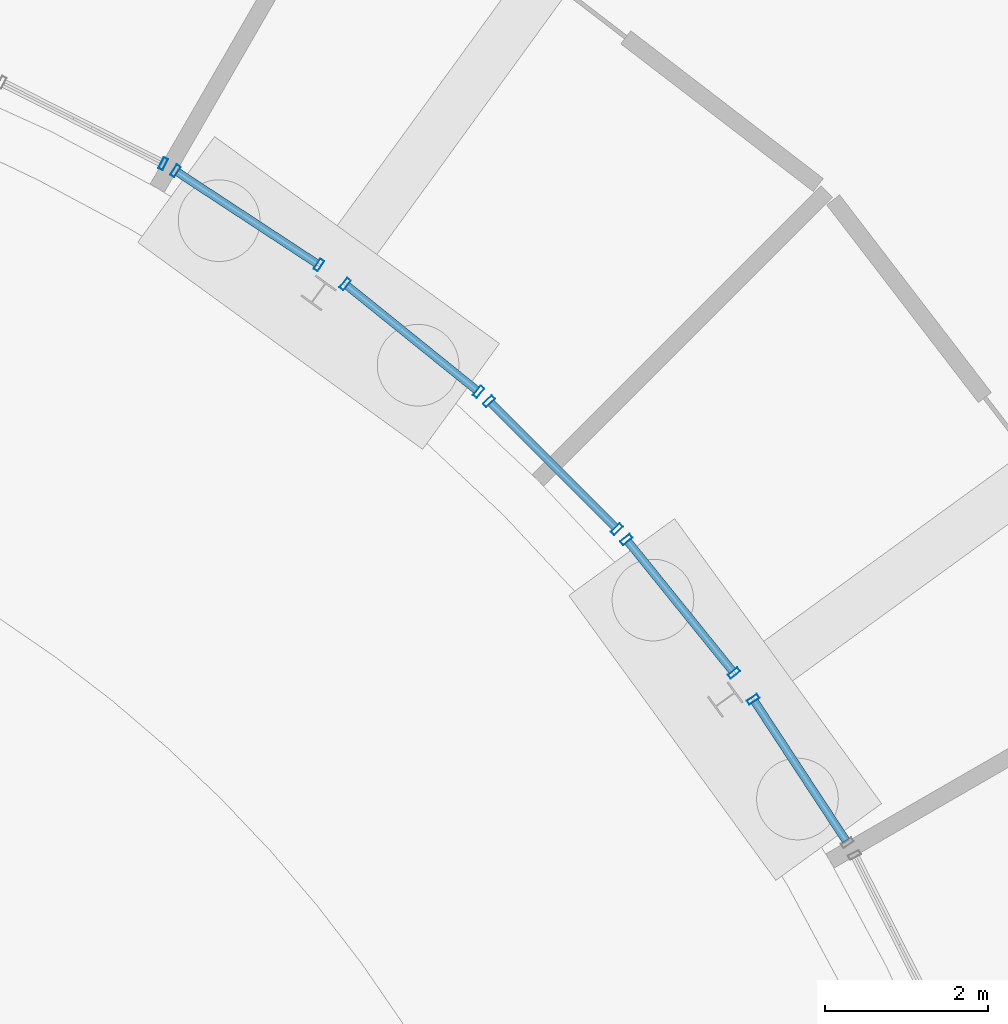
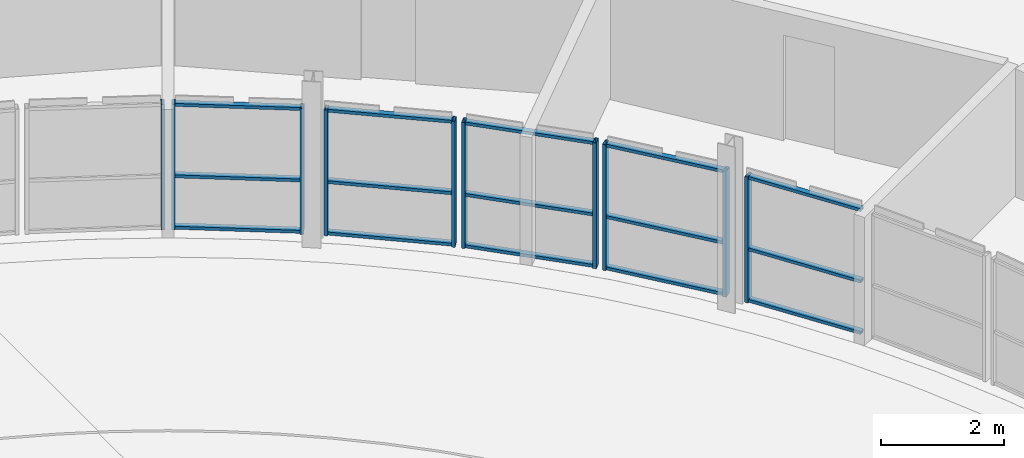
# One storey, part 63 of 130: 25 members, 6 elements without a shape of their own.
"""IFC4 building model written with IfcOpenShell, lengths in metres."""

from ifc_helpers import new_model, si_unit, direction, frame, origin, origin_2d, place, context, subcontext, project, spatial, hollow_rectangle, extrude, material, material_profile, profile_set, type_object, element, aggregate, save


model = new_model("IFC4")

# Units and contexts
model_context = context("Model", 3, precision=1e-05, world=origin(), true_north=direction((0.0, 1.0)))
body_context = subcontext(model_context, "Body", "Model", "MODEL_VIEW")
ifc_project = project(units=[si_unit("LENGTHUNIT", "METRE"), si_unit("AREAUNIT", "SQUARE_METRE"), si_unit("VOLUMEUNIT", "CUBIC_METRE"), si_unit("PLANEANGLEUNIT", "RADIAN"), si_unit("MASSUNIT", "GRAM", prefix="KILO")], contexts=[model_context])

# Site, building, storey
site_placement = place(None, origin())
site = spatial("IfcSite", under=ifc_project, at=site_placement, CompositionType="ELEMENT")
building_placement = place(site_placement, origin())
building = spatial("IfcBuilding", under=site, at=building_placement, Name="Parallax Yard Mobility Hub", CompositionType="ELEMENT")
storey_placement = place(building_placement, origin())
storey = spatial("IfcBuildingStorey", under=building, at=storey_placement, Name="L00", CompositionType="ELEMENT", Elevation=0.0)

# Curtain wall, member
ifc_material_1 = material(Name="Aluminium and glass curtain wall", Category="aluminium")
curtain_wall_type = type_object("IfcCurtainWallType", Name="Curtain wall, aluminium stick system", PredefinedType="NOTDEFINED", material=ifc_material_1)
curtain_wall_1_placement = place(storey_placement, origin())
curtain_wall_1 = element("IfcCurtainWall", 1, at=curtain_wall_1_placement, inside=storey, type_object=curtain_wall_type, Name="Curtain wall CW28 level L00 bay 19.2", PredefinedType="NOTDEFINED")
ifc_material_2 = material(Name="Aluminium 6063-T6 anodised", Category="aluminium")
ifc_material_profile_1 = material_profile(ifc_material_2, hollow_rectangle(XDim=0.14990234375, YDim=0.06005859375, WallThickness=0.00390625, at=origin_2d()), Name="RHS 60x150x4")
ifc_profile_set_1 = profile_set([ifc_material_profile_1], Name="Aluminium 6063-T6 anodised")
member_type_1 = type_object("IfcMemberType", Name="Curtain wall mullion RHS 60x150x4", PredefinedType="MULLION", material=ifc_profile_set_1)
member_1_placement = place(storey_placement, frame((183.822509765625, 109.784912109375, 0.0), z_axis=(0.0, 0.0, 1.0), x_axis=(0.449585897223, 0.893237102352, 0.0)))
member_1 = element("IfcMember", 2, at=member_1_placement, type_object=member_type_1, Name="CW28 mullion 2", PredefinedType="MULLION", context=body_context, shape_type="SweptSolid", body=[
    extrude(hollow_rectangle(XDim=0.14990234375, YDim=0.06005859375, WallThickness=0.00390625, at=origin_2d()), origin(), (0.0, 0.0, 1.0), 2.5),
])
aggregate(curtain_wall_1, [member_1])

# Curtain wall, members
curtain_wall_2_placement = place(storey_placement, origin())
curtain_wall_2 = element("IfcCurtainWall", 3, at=curtain_wall_2_placement, inside=storey, type_object=curtain_wall_type, Name="Curtain wall CW29 level L00 bay 19.3", PredefinedType="NOTDEFINED")
member_2_placement = place(storey_placement, frame((183.973388671875, 109.69775390625, 0.0), z_axis=(0.0, 0.0, 1.0), x_axis=(0.548746431387, 0.835988848035, 0.0)))
member_2 = element("IfcMember", 4, at=member_2_placement, type_object=member_type_1, Name="CW29 mullion 1", PredefinedType="MULLION", context=body_context, shape_type="SweptSolid", body=[
    extrude(hollow_rectangle(XDim=0.14990234375, YDim=0.06005859375, WallThickness=0.00390625, at=origin_2d()), origin(), (0.0, 0.0, 1.0), 2.5),
])
member_3_placement = place(storey_placement, frame((185.72900390625, 108.54541015625, 0.0), z_axis=(0.0, 0.0, 1.0), x_axis=(0.548746431387, 0.835988848035, 0.0)))
member_3 = element("IfcMember", 5, at=member_3_placement, type_object=member_type_1, Name="CW29 mullion 2", PredefinedType="MULLION", context=body_context, shape_type="SweptSolid", body=[
    extrude(hollow_rectangle(XDim=0.14990234375, YDim=0.06005859375, WallThickness=0.00390625, at=origin_2d()), origin(), (0.0, 0.0, 1.0), 2.5),
])

curtain_wall_3_placement = place(storey_placement, origin())
curtain_wall_3 = element("IfcCurtainWall", 6, at=curtain_wall_3_placement, inside=storey, type_object=curtain_wall_type, Name="Curtain wall CW30 level L00 bay 20.1", PredefinedType="NOTDEFINED")
member_4_placement = place(storey_placement, frame((186.05078125, 108.310791015625, 0.0), z_axis=(0.0, 0.0, 1.0), x_axis=(0.628066501491, 0.778159668516, 0.0)))
member_4 = element("IfcMember", 7, at=member_4_placement, type_object=member_type_1, Name="CW30 mullion 1", PredefinedType="MULLION", context=body_context, shape_type="SweptSolid", body=[
    extrude(hollow_rectangle(XDim=0.14990234375, YDim=0.06005859375, WallThickness=0.00390625, at=origin_2d()), origin(), (0.0, 0.0, 1.0), 2.5),
])
member_5_placement = place(storey_placement, frame((187.684326171875, 106.992431640625, 0.0), z_axis=(0.0, 0.0, 1.0), x_axis=(0.628066501491, 0.778159668516, 0.0)))
member_5 = element("IfcMember", 8, at=member_5_placement, type_object=member_type_1, Name="CW30 mullion 2", PredefinedType="MULLION", context=body_context, shape_type="SweptSolid", body=[
    extrude(hollow_rectangle(XDim=0.14990234375, YDim=0.06005859375, WallThickness=0.00390625, at=origin_2d()), origin(), (0.0, 0.0, 1.0), 2.5),
])

curtain_wall_4_placement = place(storey_placement, origin())
curtain_wall_4 = element("IfcCurtainWall", 9, at=curtain_wall_4_placement, inside=storey, type_object=curtain_wall_type, Name="Curtain wall CW31 level L00 bay 20.2", PredefinedType="NOTDEFINED")
member_6_placement = place(storey_placement, frame((187.81201171875, 106.877685546875, 0.0), z_axis=(0.0, 0.0, 1.0), x_axis=(0.707128764575, 0.707084797114, 0.0)))
member_6 = element("IfcMember", 10, at=member_6_placement, type_object=member_type_1, Name="CW31 mullion 1", PredefinedType="MULLION", context=body_context, shape_type="SweptSolid", body=[
    extrude(hollow_rectangle(XDim=0.14990234375, YDim=0.06005859375, WallThickness=0.00390625, at=origin_2d()), origin(), (0.0, 0.0, 1.0), 2.5),
])
member_7_placement = place(storey_placement, frame((189.377685546875, 105.311767578125, 0.0), z_axis=(0.0, 0.0, 1.0), x_axis=(0.707128764575, 0.707084797114, 0.0)))
member_7 = element("IfcMember", 11, at=member_7_placement, type_object=member_type_1, Name="CW31 mullion 2", PredefinedType="MULLION", context=body_context, shape_type="SweptSolid", body=[
    extrude(hollow_rectangle(XDim=0.14990234375, YDim=0.06005859375, WallThickness=0.00390625, at=origin_2d()), origin(), (0.0, 0.0, 1.0), 2.5),
])

curtain_wall_5_placement = place(storey_placement, origin())
curtain_wall_5 = element("IfcCurtainWall", 12, at=curtain_wall_5_placement, inside=storey, type_object=curtain_wall_type, Name="Curtain wall CW32 level L00 bay 20.3", PredefinedType="NOTDEFINED")
member_8_placement = place(storey_placement, frame((189.49267578125, 105.18408203125, 0.0), z_axis=(0.0, 0.0, 1.0), x_axis=(0.77818230241, 0.628038457593, 0.0)))
member_8 = element("IfcMember", 13, at=member_8_placement, type_object=member_type_1, Name="CW32 mullion 1", PredefinedType="MULLION", context=body_context, shape_type="SweptSolid", body=[
    extrude(hollow_rectangle(XDim=0.14990234375, YDim=0.06005859375, WallThickness=0.00390625, at=origin_2d()), origin(), (0.0, 0.0, 1.0), 2.5),
])
member_9_placement = place(storey_placement, frame((190.81103515625, 103.550537109375, 0.0), z_axis=(0.0, 0.0, 1.0), x_axis=(0.77818230241, 0.628038457593, 0.0)))
member_9 = element("IfcMember", 14, at=member_9_placement, type_object=member_type_1, Name="CW32 mullion 2", PredefinedType="MULLION", context=body_context, shape_type="SweptSolid", body=[
    extrude(hollow_rectangle(XDim=0.14990234375, YDim=0.06005859375, WallThickness=0.00390625, at=origin_2d()), origin(), (0.0, 0.0, 1.0), 2.5),
])

# Curtain wall, member
curtain_wall_6_placement = place(storey_placement, origin())
curtain_wall_6 = element("IfcCurtainWall", 15, at=curtain_wall_6_placement, inside=storey, type_object=curtain_wall_type, Name="Curtain wall CW33 level L00 bay 21.1", PredefinedType="NOTDEFINED")
member_10_placement = place(storey_placement, frame((191.045654296875, 103.228759765625, 0.0), z_axis=(0.0, 0.0, 1.0), x_axis=(0.835982204397, 0.548756552518, 0.0)))
member_10 = element("IfcMember", 16, at=member_10_placement, type_object=member_type_1, Name="CW33 mullion 1", PredefinedType="MULLION", context=body_context, shape_type="SweptSolid", body=[
    extrude(hollow_rectangle(XDim=0.14990234375, YDim=0.06005859375, WallThickness=0.00390625, at=origin_2d()), origin(), (0.0, 0.0, 1.0), 2.5),
])

# Member
ifc_material_profile_2 = material_profile(ifc_material_2, hollow_rectangle(XDim=0.10009765625, YDim=0.06005859375, WallThickness=0.00390625, at=origin_2d()), Name="RHS 60x100x4")
ifc_profile_set_2 = profile_set([ifc_material_profile_2], Name="Aluminium 6063-T6 anodised")
member_type_2 = type_object("IfcMemberType", Name="Curtain wall transom RHS 60x100x4", PredefinedType="USERDEFINED", material=ifc_profile_set_2)
member_11_placement = place(storey_placement, frame((183.998291015625, 109.681396484375, 0.030029296875), z_axis=(0.835968997815, -0.548776671053, 0.0), x_axis=(0.548776671053, 0.835968997815, 0.0)))
member_11 = element("IfcMember", 17, at=member_11_placement, type_object=member_type_2, Name="CW29 transom 1.1", ObjectType="TRANSOM", PredefinedType="USERDEFINED", context=body_context, shape_type="SweptSolid", body=[
    extrude(hollow_rectangle(XDim=0.10009765625, YDim=0.06005859375, WallThickness=0.00390625, at=origin_2d()), origin(), (0.0, 0.0, 1.0), 2.040283203125),
])

member_12_placement = place(storey_placement, frame((183.998291015625, 109.681396484375, 1.050048828125), z_axis=(0.835968997815, -0.548776671053, 0.0), x_axis=(0.548776671053, 0.835968997815, 0.0)))
member_12 = element("IfcMember", 18, at=member_12_placement, type_object=member_type_2, Name="CW29 transom 1.2", ObjectType="TRANSOM", PredefinedType="USERDEFINED", context=body_context, shape_type="SweptSolid", body=[
    extrude(hollow_rectangle(XDim=0.10009765625, YDim=0.06005859375, WallThickness=0.00390625, at=origin_2d()), origin(), (0.0, 0.0, 1.0), 2.040283203125),
])

member_13_placement = place(storey_placement, frame((183.998291015625, 109.681396484375, 2.469970703125), z_axis=(0.835968997815, -0.548776671053, 0.0), x_axis=(0.548776671053, 0.835968997815, 0.0)))
member_13 = element("IfcMember", 19, at=member_13_placement, type_object=member_type_2, Name="CW29 transom 1.3", ObjectType="TRANSOM", PredefinedType="USERDEFINED", context=body_context, shape_type="SweptSolid", body=[
    extrude(hollow_rectangle(XDim=0.10009765625, YDim=0.06005859375, WallThickness=0.00390625, at=origin_2d()), origin(), (0.0, 0.0, 1.0), 2.040283203125),
])

aggregate(curtain_wall_2, [member_2, member_3, member_11, member_12, member_13])

member_14_placement = place(storey_placement, frame((186.073974609375, 108.2919921875, 0.030029296875), z_axis=(0.778175205781, -0.628047250697, 0.0), x_axis=(0.628047250697, 0.778175205781, 0.0)))
member_14 = element("IfcMember", 20, at=member_14_placement, type_object=member_type_2, Name="CW30 transom 1.1", ObjectType="TRANSOM", PredefinedType="USERDEFINED", context=body_context, shape_type="SweptSolid", body=[
    extrude(hollow_rectangle(XDim=0.10009765625, YDim=0.06005859375, WallThickness=0.00390625, at=origin_2d()), origin(), (0.0, 0.0, 1.0), 2.039306640625),
])

member_15_placement = place(storey_placement, frame((186.073974609375, 108.2919921875, 1.050048828125), z_axis=(0.778175205781, -0.628047250697, 0.0), x_axis=(0.628047250697, 0.778175205781, 0.0)))
member_15 = element("IfcMember", 21, at=member_15_placement, type_object=member_type_2, Name="CW30 transom 1.2", ObjectType="TRANSOM", PredefinedType="USERDEFINED", context=body_context, shape_type="SweptSolid", body=[
    extrude(hollow_rectangle(XDim=0.10009765625, YDim=0.06005859375, WallThickness=0.00390625, at=origin_2d()), origin(), (0.0, 0.0, 1.0), 2.039306640625),
])

member_16_placement = place(storey_placement, frame((186.073974609375, 108.2919921875, 2.469970703125), z_axis=(0.778175205781, -0.628047250697, 0.0), x_axis=(0.628047250697, 0.778175205781, 0.0)))
member_16 = element("IfcMember", 22, at=member_16_placement, type_object=member_type_2, Name="CW30 transom 1.3", ObjectType="TRANSOM", PredefinedType="USERDEFINED", context=body_context, shape_type="SweptSolid", body=[
    extrude(hollow_rectangle(XDim=0.10009765625, YDim=0.06005859375, WallThickness=0.00390625, at=origin_2d()), origin(), (0.0, 0.0, 1.0), 2.039306640625),
])

aggregate(curtain_wall_3, [member_4, member_5, member_14, member_15, member_16])

member_17_placement = place(storey_placement, frame((187.833251953125, 106.8564453125, 0.030029296875), z_axis=(0.707106781187, -0.707106781187, 0.0), x_axis=(0.707106781187, 0.707106781187, 0.0)))
member_17 = element("IfcMember", 23, at=member_17_placement, type_object=member_type_2, Name="CW31 transom 1.1", ObjectType="TRANSOM", PredefinedType="USERDEFINED", context=body_context, shape_type="SweptSolid", body=[
    extrude(hollow_rectangle(XDim=0.10009765625, YDim=0.06005859375, WallThickness=0.00390625, at=origin_2d()), origin(), (0.0, 0.0, 1.0), 2.154541015625),
])

member_18_placement = place(storey_placement, frame((187.833251953125, 106.8564453125, 1.050048828125), z_axis=(0.707106781187, -0.707106781187, 0.0), x_axis=(0.707106781187, 0.707106781187, 0.0)))
member_18 = element("IfcMember", 24, at=member_18_placement, type_object=member_type_2, Name="CW31 transom 1.2", ObjectType="TRANSOM", PredefinedType="USERDEFINED", context=body_context, shape_type="SweptSolid", body=[
    extrude(hollow_rectangle(XDim=0.10009765625, YDim=0.06005859375, WallThickness=0.00390625, at=origin_2d()), origin(), (0.0, 0.0, 1.0), 2.154541015625),
])

member_19_placement = place(storey_placement, frame((187.833251953125, 106.8564453125, 2.469970703125), z_axis=(0.707106781187, -0.707106781187, 0.0), x_axis=(0.707106781187, 0.707106781187, 0.0)))
member_19 = element("IfcMember", 25, at=member_19_placement, type_object=member_type_2, Name="CW31 transom 1.3", ObjectType="TRANSOM", PredefinedType="USERDEFINED", context=body_context, shape_type="SweptSolid", body=[
    extrude(hollow_rectangle(XDim=0.10009765625, YDim=0.06005859375, WallThickness=0.00390625, at=origin_2d()), origin(), (0.0, 0.0, 1.0), 2.154541015625),
])

aggregate(curtain_wall_4, [member_6, member_7, member_17, member_18, member_19])

member_20_placement = place(storey_placement, frame((189.511474609375, 105.16064453125, 0.030029296875), z_axis=(0.628047250697, -0.778175205781, 0.0), x_axis=(0.778175205781, 0.628047250697, 0.0)))
member_20 = element("IfcMember", 26, at=member_20_placement, type_object=member_type_2, Name="CW32 transom 1.1", ObjectType="TRANSOM", PredefinedType="USERDEFINED", context=body_context, shape_type="SweptSolid", body=[
    extrude(hollow_rectangle(XDim=0.10009765625, YDim=0.06005859375, WallThickness=0.00390625, at=origin_2d()), origin(), (0.0, 0.0, 1.0), 2.039306640625),
])

member_21_placement = place(storey_placement, frame((189.511474609375, 105.16064453125, 1.050048828125), z_axis=(0.628047250697, -0.778175205781, 0.0), x_axis=(0.778175205781, 0.628047250697, 0.0)))
member_21 = element("IfcMember", 27, at=member_21_placement, type_object=member_type_2, Name="CW32 transom 1.2", ObjectType="TRANSOM", PredefinedType="USERDEFINED", context=body_context, shape_type="SweptSolid", body=[
    extrude(hollow_rectangle(XDim=0.10009765625, YDim=0.06005859375, WallThickness=0.00390625, at=origin_2d()), origin(), (0.0, 0.0, 1.0), 2.039306640625),
])

member_22_placement = place(storey_placement, frame((189.511474609375, 105.16064453125, 2.469970703125), z_axis=(0.628047250697, -0.778175205781, 0.0), x_axis=(0.778175205781, 0.628047250697, 0.0)))
member_22 = element("IfcMember", 28, at=member_22_placement, type_object=member_type_2, Name="CW32 transom 1.3", ObjectType="TRANSOM", PredefinedType="USERDEFINED", context=body_context, shape_type="SweptSolid", body=[
    extrude(hollow_rectangle(XDim=0.10009765625, YDim=0.06005859375, WallThickness=0.00390625, at=origin_2d()), origin(), (0.0, 0.0, 1.0), 2.039306640625),
])

aggregate(curtain_wall_5, [member_8, member_9, member_20, member_21, member_22])

member_23_placement = place(storey_placement, frame((191.06201171875, 103.20361328125, 0.030029296875), z_axis=(0.548747936698, -0.835987859942, 0.0), x_axis=(0.835987859942, 0.548747936698, 0.0)))
member_23 = element("IfcMember", 29, at=member_23_placement, type_object=member_type_2, Name="CW33 transom 1.1", ObjectType="TRANSOM", PredefinedType="USERDEFINED", context=body_context, shape_type="SweptSolid", body=[
    extrude(hollow_rectangle(XDim=0.10009765625, YDim=0.06005859375, WallThickness=0.00390625, at=origin_2d()), origin(), (0.0, 0.0, 1.0), 2.039794921875),
])

member_24_placement = place(storey_placement, frame((191.06201171875, 103.20361328125, 1.050048828125), z_axis=(0.548747936698, -0.835987859942, 0.0), x_axis=(0.835987859942, 0.548747936698, 0.0)))
member_24 = element("IfcMember", 30, at=member_24_placement, type_object=member_type_2, Name="CW33 transom 1.2", ObjectType="TRANSOM", PredefinedType="USERDEFINED", context=body_context, shape_type="SweptSolid", body=[
    extrude(hollow_rectangle(XDim=0.10009765625, YDim=0.06005859375, WallThickness=0.00390625, at=origin_2d()), origin(), (0.0, 0.0, 1.0), 2.039794921875),
])

member_25_placement = place(storey_placement, frame((191.06201171875, 103.20361328125, 2.469970703125), z_axis=(0.548747936698, -0.835987859942, 0.0), x_axis=(0.835987859942, 0.548747936698, 0.0)))
member_25 = element("IfcMember", 31, at=member_25_placement, type_object=member_type_2, Name="CW33 transom 1.3", ObjectType="TRANSOM", PredefinedType="USERDEFINED", context=body_context, shape_type="SweptSolid", body=[
    extrude(hollow_rectangle(XDim=0.10009765625, YDim=0.06005859375, WallThickness=0.00390625, at=origin_2d()), origin(), (0.0, 0.0, 1.0), 2.039794921875),
])

aggregate(curtain_wall_6, [member_10, member_23, member_24, member_25])

save(model, "model.ifc")
